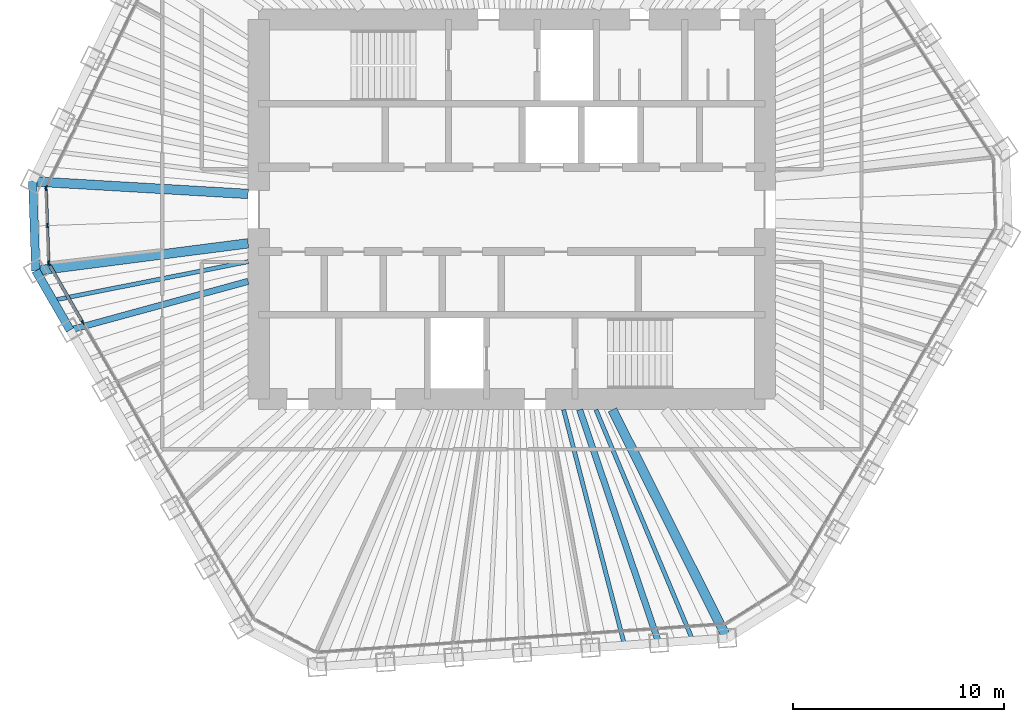
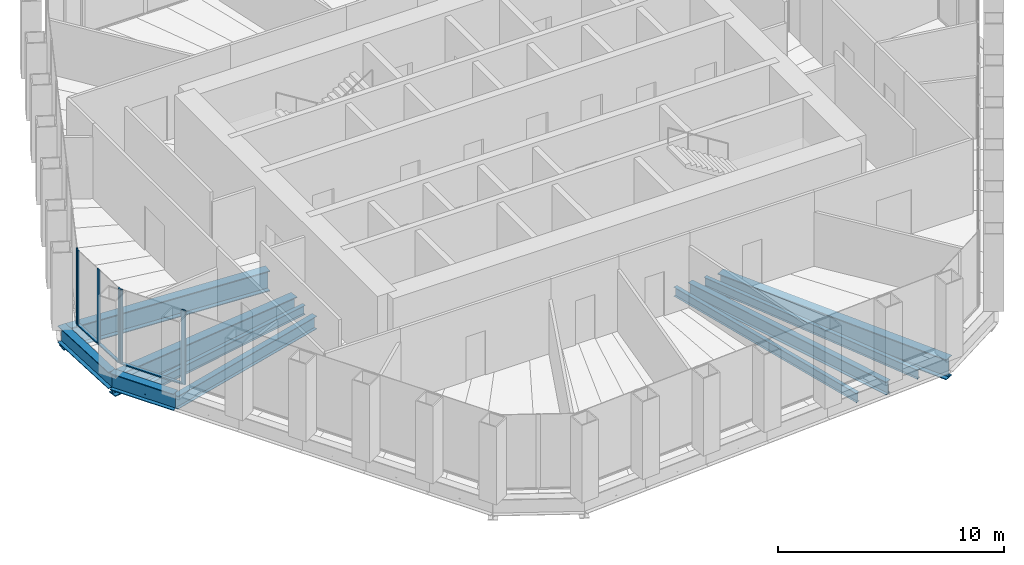
# One storey, part 3 of 14: 10 beams, 9 members, 3 elements without a shape of their own.
"""IFC4 building model written with IfcOpenShell, lengths in metres."""

from ifc_helpers import new_model, si_unit, direction, frame, origin, origin_2d, place, context, subcontext, project, spatial, rectangle, i_section, extrude, material, material_profile, profile_set, type_object, element, aggregate, save


model = new_model("IFC4")

# Units and contexts
model_context = context("Model", 3, precision=1e-05, world=origin(), true_north=direction((0.0, 1.0)))
body_context = subcontext(model_context, "Body", "Model", "MODEL_VIEW")
ifc_project = project(units=[si_unit("LENGTHUNIT", "METRE"), si_unit("AREAUNIT", "SQUARE_METRE"), si_unit("VOLUMEUNIT", "CUBIC_METRE"), si_unit("PLANEANGLEUNIT", "RADIAN"), si_unit("MASSUNIT", "GRAM", prefix="KILO")], contexts=[model_context])

# Site, building, storey
site_placement = place(None, origin())
site = spatial("IfcSite", under=ifc_project, at=site_placement, CompositionType="ELEMENT")
building_placement = place(site_placement, origin())
building = spatial("IfcBuilding", under=site, at=building_placement, Name="Qingtian Harvest Tower", CompositionType="ELEMENT")
storey_placement = place(building_placement, frame((0.0, 0.0, 283.0)))
storey = spatial("IfcBuildingStorey", under=building, at=storey_placement, Name="L62", CompositionType="ELEMENT", Elevation=283.0)

# Beams
ifc_material_1 = material(Name="Steel SM570MC", Category="steel")
ifc_material_profile_1 = material_profile(ifc_material_1, i_section(OverallWidth=0.449951171875, OverallDepth=1.10009765625, WebThickness=0.02197265625, FlangeThickness=0.044921875, at=origin_2d()), Name="H1100x450x22x45")
ifc_profile_set_1 = profile_set([ifc_material_profile_1], Name="Steel SM570MC")
beam_type_1 = type_object("IfcBeamType", Name="Corner floor beam FB8 H1100x450x22x45", PredefinedType="BEAM", material=ifc_profile_set_1)
beam_1_placement = place(storey_placement, frame((10.20947265625, -20.33740234375, -0.719970703125), z_axis=(-0.448646499463, 0.89370930314, 0.0), x_axis=(-0.89370930314, -0.448646499463, 0.0)))
element("IfcBeam", 1, at=beam_1_placement, inside=storey, type_object=beam_type_1, Name="Floor beam FB8 S0", PredefinedType="BEAM", context=body_context, shape_type="SweptSolid", body=[
    extrude(i_section(OverallWidth=0.449951171875, OverallDepth=1.10009765625, WebThickness=0.02197265625, FlangeThickness=0.044921875, at=origin_2d()), origin(), (0.0, 0.0, 1.0), 12.126220703125),
])
beam_2_placement = place(storey_placement, frame((-22.569580078125, -2.908447265625, -0.719970703125), z_axis=(0.991799019918, 0.127807292784, 0.0), x_axis=(-0.127807292784, 0.991799019918, 0.0)))
element("IfcBeam", 2, at=beam_2_placement, inside=storey, type_object=beam_type_1, Name="Floor beam FB8 SW6", PredefinedType="BEAM", context=body_context, shape_type="SweptSolid", body=[
    extrude(i_section(OverallWidth=0.449951171875, OverallDepth=1.10009765625, WebThickness=0.02197265625, FlangeThickness=0.044921875, at=origin_2d()), origin(), (0.0, 0.0, 1.0), 10.15283203125),
])
beam_3_placement = place(storey_placement, frame((-22.71728515625, 1.3271484375, -0.719970703125), z_axis=(0.998297736533, -0.058323487833, 0.0), x_axis=(0.058323487833, 0.998297736533, 0.0)))
element("IfcBeam", 3, at=beam_3_placement, inside=storey, type_object=beam_type_1, Name="Floor beam FB8 NW0", PredefinedType="BEAM", context=body_context, shape_type="SweptSolid", body=[
    extrude(i_section(OverallWidth=0.449951171875, OverallDepth=1.10009765625, WebThickness=0.02197265625, FlangeThickness=0.044921875, at=origin_2d()), origin(), (0.0, 0.0, 1.0), 10.234619140625),
])
ifc_material_2 = material(Name="Steel SN490B", Category="steel")
ifc_material_profile_2 = material_profile(ifc_material_2, i_section(OverallWidth=0.300048828125, OverallDepth=0.699951171875, WebThickness=0.012939453125, FlangeThickness=0.02392578125, at=origin_2d()), Name="H700x300x13x24")
ifc_profile_set_2 = profile_set([ifc_material_profile_2], Name="Steel SN490B")
beam_type_2 = type_object("IfcBeamType", Name="Floor beam FB4 H700x300x13x24", PredefinedType="BEAM", material=ifc_profile_set_2)
beam_4_placement = place(storey_placement, frame((6.96923828125, -20.56396484375, -0.52001953125), z_axis=(-0.320963665382, 0.947091508517, 0.0), x_axis=(-0.947091508517, -0.320963665382, 0.0)))
element("IfcBeam", 4, at=beam_4_placement, inside=storey, type_object=beam_type_2, Name="Floor beam FB4 S1", PredefinedType="BEAM", context=body_context, shape_type="SweptSolid", body=[
    extrude(i_section(OverallWidth=0.300048828125, OverallDepth=0.699951171875, WebThickness=0.012939453125, FlangeThickness=0.02392578125, at=origin_2d()), origin(), (0.0, 0.0, 1.0), 11.68212890625),
])
beam_5_placement = place(storey_placement, frame((-20.945556640625, -5.721435546875, -0.52001953125), z_axis=(0.964660783636, 0.263494919335, 0.0), x_axis=(-0.263494919335, 0.964660783636, 0.0)))
element("IfcBeam", 5, at=beam_5_placement, inside=storey, type_object=beam_type_2, Name="Floor beam FB4 SW5", PredefinedType="BEAM", context=body_context, shape_type="SweptSolid", body=[
    extrude(i_section(OverallWidth=0.300048828125, OverallDepth=0.699951171875, WebThickness=0.012939453125, FlangeThickness=0.02392578125, at=origin_2d()), origin(), (0.0, 0.0, 1.0), 8.7548828125),
])
ifc_material_3 = material(Name="Steel SN490B", Category="steel")
ifc_material_profile_3 = material_profile(ifc_material_3, i_section(OverallWidth=0.199951171875, OverallDepth=0.5, WebThickness=0.010009765625, FlangeThickness=0.01611328125, at=origin_2d()), Name="H500x200x10x16")
ifc_profile_set_3 = profile_set([ifc_material_profile_3], Name="Steel SN490B")
beam_type_3 = type_object("IfcBeamType", Name="Floor joist J3 H500x200x10x16", PredefinedType="JOIST", material=ifc_profile_set_3)
beam_6_placement = place(storey_placement, frame((8.58935546875, -20.45068359375, -0.419921875), z_axis=(-0.387238075679, 0.921979757232, 0.0), x_axis=(-0.921979757232, -0.387238075679, 0.0)))
element("IfcBeam", 6, at=beam_6_placement, inside=storey, type_object=beam_type_3, Name="Floor joist J3 S0", PredefinedType="JOIST", context=body_context, shape_type="SweptSolid", body=[
    extrude(i_section(OverallWidth=0.199951171875, OverallDepth=0.5, WebThickness=0.010009765625, FlangeThickness=0.01611328125, at=origin_2d()), origin(), (0.0, 0.0, 1.0), 11.87744140625),
])
beam_7_placement = place(storey_placement, frame((5.349365234375, -20.67724609375, -0.419921875), z_axis=(-0.250458686855, 0.968127288211, 0.0), x_axis=(-0.968127288211, -0.250458686855, 0.0)))
element("IfcBeam", 7, at=beam_7_placement, inside=storey, type_object=beam_type_3, Name="Floor joist J3 S1", PredefinedType="JOIST", context=body_context, shape_type="SweptSolid", body=[
    extrude(i_section(OverallWidth=0.199951171875, OverallDepth=0.5, WebThickness=0.010009765625, FlangeThickness=0.01611328125, at=origin_2d()), origin(), (0.0, 0.0, 1.0), 11.545166015625),
])
beam_8_placement = place(storey_placement, frame((-21.757568359375, -4.31494140625, -0.419921875), z_axis=(0.980896774681, 0.194528962937, 0.0), x_axis=(-0.194528962937, 0.980896774681, 0.0)))
element("IfcBeam", 8, at=beam_8_placement, inside=storey, type_object=beam_type_3, Name="Floor joist J3 SW5", PredefinedType="JOIST", context=body_context, shape_type="SweptSolid", body=[
    extrude(i_section(OverallWidth=0.199951171875, OverallDepth=0.5, WebThickness=0.010009765625, FlangeThickness=0.01611328125, at=origin_2d()), origin(), (0.0, 0.0, 1.0), 9.437744140625),
])

# Curtain wall, members
ifc_material_4 = material(Name="Bronze-anodised aluminium curtain wall", Category="aluminium")
curtain_wall_type = type_object("IfcCurtainWallType", Name="Curtain wall CW5 upper office", PredefinedType="USERDEFINED", material=ifc_material_4)
curtain_wall_1_placement = place(storey_placement, origin())
curtain_wall_1 = element("IfcCurtainWall", 9, at=curtain_wall_1_placement, inside=storey, type_object=curtain_wall_type, Name="Curtain wall CW5 L62 SW0-5", ObjectType="RECESSED CURTAIN WALL", PredefinedType="USERDEFINED")
ifc_material_5 = material(Name="Bronze-anodised aluminium mullion", Category="aluminium")
ifc_material_profile_4 = material_profile(ifc_material_5, rectangle(XDim=0.06494140625, YDim=0.199951171875, at=origin_2d()), Name="AL 65x200")
ifc_profile_set_4 = profile_set([ifc_material_profile_4], Name="Bronze-anodised aluminium mullion")
member_type_1 = type_object("IfcMemberType", Name="Mullion CWM 65x200", PredefinedType="MULLION", material=ifc_profile_set_4)
member_1_placement = place(storey_placement, frame((-20.33935546875, -5.371337890625, 0.0), z_axis=(0.0, 0.0, 1.0), x_axis=(-0.866025403784, -0.5, 0.0)))
member_1 = element("IfcMember", 10, at=member_1_placement, type_object=member_type_1, Name="CW5 mullion 6", PredefinedType="MULLION", context=body_context, shape_type="SweptSolid", body=[
    extrude(rectangle(XDim=0.06494140625, YDim=0.199951171875, at=origin_2d()), origin(), (0.0, 0.0, 1.0), 4.030029296875),
])
member_2_placement = place(storey_placement, frame((-21.947021484375, -2.586669921875, 0.0), z_axis=(0.0, 0.0, 1.0), x_axis=(-0.866025403784, -0.5, 0.0)))
member_2 = element("IfcMember", 11, at=member_2_placement, type_object=member_type_1, Name="CW5 mullion 7", PredefinedType="MULLION", context=body_context, shape_type="SweptSolid", body=[
    extrude(rectangle(XDim=0.06494140625, YDim=0.199951171875, at=origin_2d()), origin(), (0.0, 0.0, 1.0), 4.030029296875),
])

curtain_wall_2_placement = place(storey_placement, origin())
curtain_wall_2 = element("IfcCurtainWall", 12, at=curtain_wall_2_placement, inside=storey, type_object=curtain_wall_type, Name="Curtain wall CW5 L62 SWC", ObjectType="RECESSED CURTAIN WALL", PredefinedType="USERDEFINED")
member_3_placement = place(storey_placement, frame((-21.96435546875, -2.526123046875, 0.0), z_axis=(0.0, 0.0, 1.0), x_axis=(-0.999390827019, -0.034899496703, 0.0)))
member_3 = element("IfcMember", 13, at=member_3_placement, type_object=member_type_1, Name="CW5 mullion 1", PredefinedType="MULLION", context=body_context, shape_type="SweptSolid", body=[
    extrude(rectangle(XDim=0.06494140625, YDim=0.199951171875, at=origin_2d()), origin(), (0.0, 0.0, 1.0), 4.030029296875),
])
member_4_placement = place(storey_placement, frame((-22.025634765625, -0.76904296875, 0.0), z_axis=(0.0, 0.0, 1.0), x_axis=(-0.999390827019, -0.034899496703, 0.0)))
member_4 = element("IfcMember", 14, at=member_4_placement, type_object=member_type_1, Name="CW5 mullion 2", PredefinedType="MULLION", context=body_context, shape_type="SweptSolid", body=[
    extrude(rectangle(XDim=0.06494140625, YDim=0.199951171875, at=origin_2d()), origin(), (0.0, 0.0, 1.0), 4.030029296875),
])
member_5_placement = place(storey_placement, frame((-22.087158203125, 0.98779296875, 0.0), z_axis=(0.0, 0.0, 1.0), x_axis=(-0.999390827019, -0.034899496703, 0.0)))
member_5 = element("IfcMember", 15, at=member_5_placement, type_object=member_type_1, Name="CW5 mullion 3", PredefinedType="MULLION", context=body_context, shape_type="SweptSolid", body=[
    extrude(rectangle(XDim=0.06494140625, YDim=0.199951171875, at=origin_2d()), origin(), (0.0, 0.0, 1.0), 4.030029296875),
])

# Curtain wall, member
curtain_wall_3_placement = place(storey_placement, origin())
curtain_wall_3 = element("IfcCurtainWall", 16, at=curtain_wall_3_placement, inside=storey, type_object=curtain_wall_type, Name="Curtain wall CW5 L62 NW0-5", ObjectType="RECESSED CURTAIN WALL", PredefinedType="USERDEFINED")
member_6_placement = place(storey_placement, frame((-22.073974609375, 1.04931640625, 0.0), z_axis=(0.0, 0.0, 1.0), x_axis=(-0.898794046299, 0.438371146789, 0.0)))
member_6 = element("IfcMember", 17, at=member_6_placement, type_object=member_type_1, Name="CW5 mullion 1", PredefinedType="MULLION", context=body_context, shape_type="SweptSolid", body=[
    extrude(rectangle(XDim=0.06494140625, YDim=0.199951171875, at=origin_2d()), origin(), (0.0, 0.0, 1.0), 4.030029296875),
])
aggregate(curtain_wall_3, [member_6])

# Beams
ifc_material_6 = material(Name="Steel SN490B", Category="steel")
ifc_material_profile_5 = material_profile(ifc_material_6, i_section(OverallWidth=0.39990234375, OverallDepth=0.89990234375, WebThickness=0.01904296875, FlangeThickness=0.035888671875, at=origin_2d()), Name="H900x400x19x36")
ifc_profile_set_5 = profile_set([ifc_material_profile_5], Name="Steel SN490B")
beam_type_4 = type_object("IfcBeamType", Name="Spandrel beam SB4 H900x400x19x36", PredefinedType="SPANDREL", material=ifc_profile_set_5)
beam_9_placement = place(storey_placement, frame((-20.945556640625, -5.721435546875, -0.449951171875), z_axis=(-0.499987045439, 0.866032882975, 0.0), x_axis=(-0.866032882975, -0.499987045439, 0.0)))
element("IfcBeam", 18, at=beam_9_placement, inside=storey, type_object=beam_type_4, Name="Spandrel SB4 SW5", PredefinedType="SPANDREL", context=body_context, shape_type="SweptSolid", body=[
    extrude(i_section(OverallWidth=0.39990234375, OverallDepth=0.89990234375, WebThickness=0.01904296875, FlangeThickness=0.035888671875, at=origin_2d()), origin(), (0.0, 0.0, 1.0), 3.248046875),
])
beam_10_placement = place(storey_placement, frame((-22.569580078125, -2.908447265625, -0.449951171875), z_axis=(-0.034851142499, 0.999392514414, 0.0), x_axis=(-0.999392514414, -0.034851142499, 0.0)))
element("IfcBeam", 19, at=beam_10_placement, inside=storey, type_object=beam_type_4, Name="Spandrel SB4 SWC", PredefinedType="SPANDREL", context=body_context, shape_type="SweptSolid", body=[
    extrude(i_section(OverallWidth=0.39990234375, OverallDepth=0.89990234375, WebThickness=0.01904296875, FlangeThickness=0.035888671875, at=origin_2d()), origin(), (0.0, 0.0, 1.0), 4.23828125),
])

# Member
ifc_material_7 = material(Name="Bronze-anodised aluminium transom", Category="aluminium")
ifc_material_profile_6 = material_profile(ifc_material_7, rectangle(XDim=0.14990234375, YDim=0.06494140625, at=origin_2d()), Name="AL 65x150")
ifc_profile_set_6 = profile_set([ifc_material_profile_6], Name="Bronze-anodised aluminium transom")
member_type_2 = type_object("IfcMemberType", Name="Transom CWT 65x150", PredefinedType="USERDEFINED", material=ifc_profile_set_6)
member_7_placement = place(storey_placement, frame((-20.35546875, -5.34326171875, 0.032470703125), z_axis=(-0.499972881236, 0.866041060244, 0.0), x_axis=(-0.866041060244, -0.499972881236, 0.0)))
member_7 = element("IfcMember", 20, at=member_7_placement, type_object=member_type_2, Name="CW5 transom 6.1", ObjectType="TRANSOM", PredefinedType="USERDEFINED", context=body_context, shape_type="SweptSolid", body=[
    extrude(rectangle(XDim=0.14990234375, YDim=0.06494140625, at=origin_2d()), origin(), (0.0, 0.0, 1.0), 3.150634765625),
])

aggregate(curtain_wall_1, [member_1, member_2, member_7])

member_8_placement = place(storey_placement, frame((-21.965576171875, -2.49365234375, 0.032470703125), z_axis=(-0.034899362377, 0.99939083171, 0.0), x_axis=(-0.99939083171, -0.034899362377, 0.0)))
member_8 = element("IfcMember", 21, at=member_8_placement, type_object=member_type_2, Name="CW5 transom 1.1", ObjectType="TRANSOM", PredefinedType="USERDEFINED", context=body_context, shape_type="SweptSolid", body=[
    extrude(rectangle(XDim=0.14990234375, YDim=0.06494140625, at=origin_2d()), origin(), (0.0, 0.0, 1.0), 1.69287109375),
])

member_9_placement = place(storey_placement, frame((-22.02685546875, -0.736572265625, 0.032470703125), z_axis=(-0.034899362377, 0.99939083171, 0.0), x_axis=(-0.99939083171, -0.034899362377, 0.0)))
member_9 = element("IfcMember", 22, at=member_9_placement, type_object=member_type_2, Name="CW5 transom 2.1", ObjectType="TRANSOM", PredefinedType="USERDEFINED", context=body_context, shape_type="SweptSolid", body=[
    extrude(rectangle(XDim=0.14990234375, YDim=0.06494140625, at=origin_2d()), origin(), (0.0, 0.0, 1.0), 1.69287109375),
])

aggregate(curtain_wall_2, [member_3, member_4, member_5, member_8, member_9])

save(model, "model.ifc")
